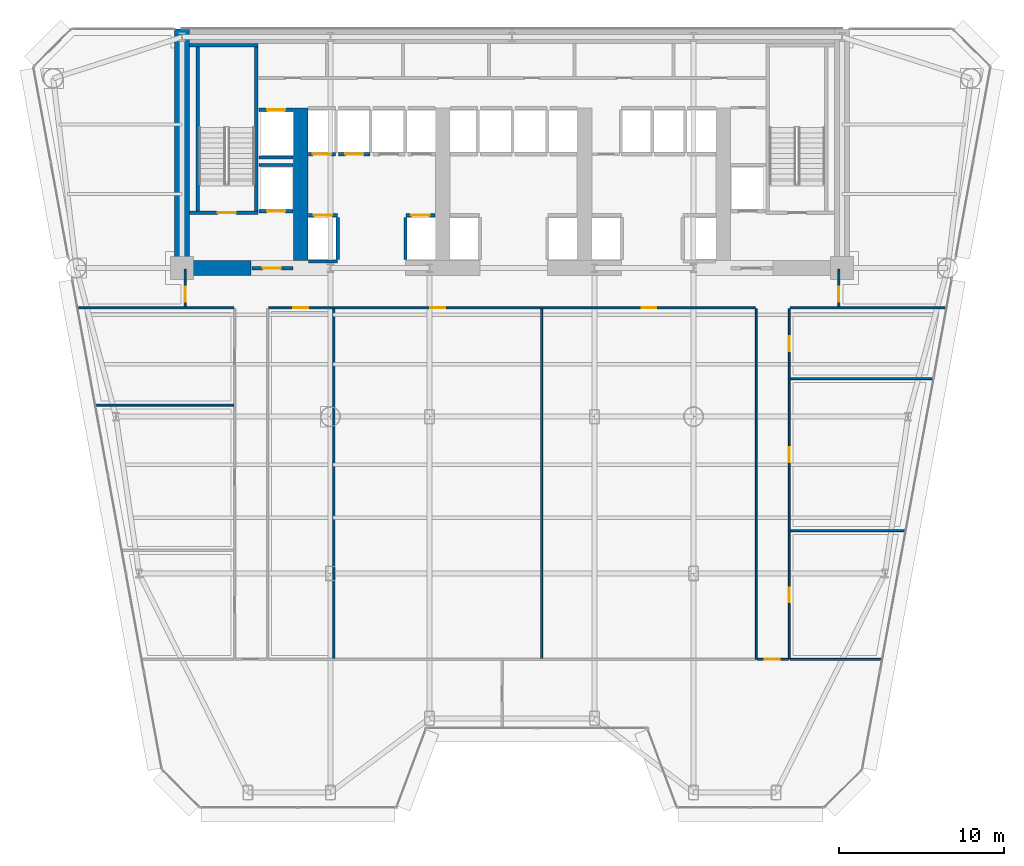
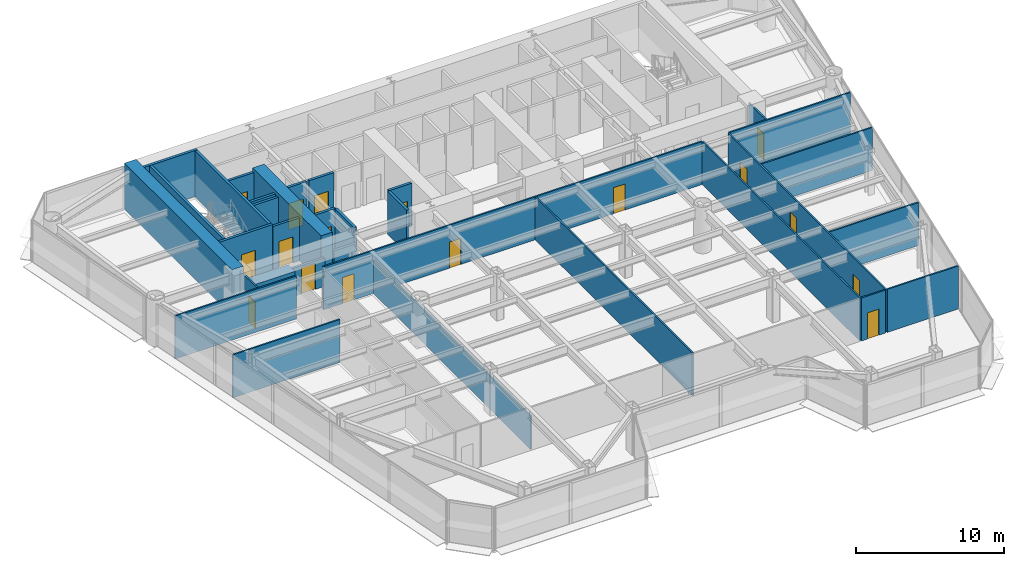
# One storey, part 8 of 14: 33 walls, 17 doors, 17 openings.
"""IFC4 building model written with IfcOpenShell, lengths in metres."""

import ifcopenshell
import ifcopenshell.guid

model = None  # the IFC model being written
_history = None  # IfcOwnerHistory: only IFC2X3 demands one
_inside = {}  # id of a spatial element -> (the spatial element, [elements in it])
_under = {}  # id of a project, library or spatial element -> (it, [spatial elements below it])
_declared = {}  # id of a project -> (the project, [libraries it declares])
_typed = {}  # id of a type object -> (the type object, [elements of that type])
_made_of = {}  # id of a material, layer set ... -> (it, [elements and type objects made of it])


def new_model(schema):
    """Start an empty IFC model of exactly this schema.

    Asked for "IFC4X3", IfcOpenShell would pick the latest addendum, in which some entities
    have other attributes; the version numbers below select the first issue.
    IFC2X3 requires an IfcOwnerHistory on every rooted entity: one is made here for all.
    """
    global model, _history
    if schema == "IFC4X3":
        model = ifcopenshell.file(schema_version=(4, 3, 0, 0))
    else:
        model = ifcopenshell.file(schema=schema)
    _inside.clear()
    _under.clear()
    _declared.clear()
    _typed.clear()
    _made_of.clear()
    _history = None
    if model.schema == "IFC2X3":
        org = make("IfcOrganization", Name="unknown")
        user = make(
            "IfcPersonAndOrganization",
            ThePerson=make("IfcPerson", FamilyName="unknown"),
            TheOrganization=org,
        )
        app = make(
            "IfcApplication",
            ApplicationDeveloper=org,
            Version="unknown",
            ApplicationFullName="unknown",
            ApplicationIdentifier="unknown",
        )
        _history = make(
            "IfcOwnerHistory",
            OwningUser=user,
            OwningApplication=app,
            ChangeAction="ADDED",
            CreationDate=0,
        )
    return model


def make(cls, **values):
    """One entity of the class cls with the attributes given. An attribute that is None is left unset."""
    return model.create_entity(
        cls, **{name: value for name, value in values.items() if value is not None}
    )


def rooted(cls, **values):
    """An entity with a GlobalId (a new one), such as an element, a storey or a relation."""
    return make(cls, GlobalId=ifcopenshell.guid.new(), OwnerHistory=_history, **values)


def si_unit(unit_type, name, prefix=None):
    """IfcSIUnit, for example si_unit("LENGTHUNIT", "METRE", prefix="MILLI")."""
    return make("IfcSIUnit", UnitType=unit_type, Prefix=prefix, Name=name)


def assignment(units):
    """IfcUnitAssignment: the units of a project."""
    return None if units is None else make("IfcUnitAssignment", Units=units)


def point(xyz):
    """IfcCartesianPoint."""
    return None if xyz is None else make("IfcCartesianPoint", Coordinates=xyz)


def direction(xyz):
    """IfcDirection."""
    return None if xyz is None else make("IfcDirection", DirectionRatios=xyz)


def frame(location, z_axis=None, x_axis=None):
    """IfcAxis2Placement3D, a coordinate frame: its origin and axes. An axis left out is left unset."""
    return make(
        "IfcAxis2Placement3D",
        Location=point(location),
        Axis=direction(z_axis),
        RefDirection=direction(x_axis),
    )


def frame_2d(location, x_axis=None):
    """IfcAxis2Placement2D, a coordinate frame in the plane: its origin and x axis."""
    return make(
        "IfcAxis2Placement2D", Location=point(location), RefDirection=direction(x_axis)
    )


def origin():
    """The frame at (0, 0, 0) with its axes left unset."""
    return frame((0.0, 0.0, 0.0))


def place(relative_to, where):
    """IfcLocalPlacement: puts the frame where relative to a parent placement (None: the world)."""
    return make(
        "IfcLocalPlacement", PlacementRelTo=relative_to, RelativePlacement=where
    )


def context(
    kind, dimensions, precision=None, world=None, true_north=None, identifier=None
):
    """IfcGeometricRepresentationContext, for example the 3D "Model" context."""
    return make(
        "IfcGeometricRepresentationContext",
        ContextIdentifier=identifier,
        ContextType=kind,
        CoordinateSpaceDimension=dimensions,
        Precision=precision,
        WorldCoordinateSystem=world,
        TrueNorth=true_north,
    )


def subcontext(parent, identifier, kind, view, scale=None):
    """IfcGeometricRepresentationSubContext, for example "Body" below "Model"."""
    return make(
        "IfcGeometricRepresentationSubContext",
        ContextIdentifier=identifier,
        ContextType=kind,
        ParentContext=parent,
        TargetScale=scale,
        TargetView=view,
    )


def project(units=None, contexts=None):
    """IfcProject with its units and contexts."""
    return rooted(
        "IfcProject",
        Name="project",
        RepresentationContexts=contexts,
        UnitsInContext=assignment(units),
    )


def spatial(cls, under=None, at=None, **own):
    """A site, building, storey or space (cls), placed at a placement, below another one or the project."""
    s = rooted(cls, ObjectPlacement=at, **own)
    if under is not None:
        _under.setdefault(under.id(), (under, []))[1].append(s)
    return s


def profile(cls, at=None, kind="AREA", **sizes):
    """A parametric profile (cls). Its sizes go by their IFC names, for example OverallWidth=200.0."""
    return make(cls, ProfileType=kind, Position=at, **sizes)


def rectangle(**sizes):
    """IfcRectangleProfileDef."""
    return profile("IfcRectangleProfileDef", **sizes)


def extrude(swept, where, along, depth):
    """IfcExtrudedAreaSolid: the profile swept, set in the frame where, extruded along a direction by depth."""
    return make(
        "IfcExtrudedAreaSolid",
        SweptArea=swept,
        Position=where,
        ExtrudedDirection=direction(along),
        Depth=depth,
    )


def shape(context_of_items, identifier, shape_type, items):
    """IfcShapeRepresentation: the items that make up one representation, for example the "Body"."""
    return make(
        "IfcShapeRepresentation",
        ContextOfItems=context_of_items,
        RepresentationIdentifier=identifier,
        RepresentationType=shape_type,
        Items=items,
    )


def source(mapping_origin, context_of_items, identifier, shape_type, items):
    """IfcRepresentationMap: a shape defined once, which mapped items show again and again."""
    return make(
        "IfcRepresentationMap",
        MappingOrigin=mapping_origin,
        MappedRepresentation=shape(context_of_items, identifier, shape_type, items),
    )


def transform(
    local_origin,
    x_axis=None,
    y_axis=None,
    z_axis=None,
    scale=None,
    scale2=None,
    scale3=None,
    uniform=True,
):
    """IfcCartesianTransformationOperator3D, or its non-uniform kind. x_axis, y_axis, z_axis: its Axis1, 2, 3."""
    if uniform:
        return make(
            "IfcCartesianTransformationOperator3D",
            Axis1=direction(x_axis),
            Axis2=direction(y_axis),
            LocalOrigin=point(local_origin),
            Scale=scale,
            Axis3=direction(z_axis),
        )
    return make(
        "IfcCartesianTransformationOperator3DnonUniform",
        Axis1=direction(x_axis),
        Axis2=direction(y_axis),
        LocalOrigin=point(local_origin),
        Scale=scale,
        Axis3=direction(z_axis),
        Scale2=scale2,
        Scale3=scale3,
    )


def mapped(mapping_source, mapping_target):
    """IfcMappedItem: shows the shape of a source again, moved by a transform."""
    return make(
        "IfcMappedItem", MappingSource=mapping_source, MappingTarget=mapping_target
    )


def material(Name=None, Category=None):
    """IfcMaterial."""
    return make("IfcMaterial", Name=Name, Category=Category)


def layer(
    of_material, thickness, ventilated=None, Name=None, Category=None, Priority=None
):
    """IfcMaterialLayer: one layer of a wall or slab, of a material (None: an air gap)."""
    return make(
        "IfcMaterialLayer",
        Material=of_material,
        LayerThickness=thickness,
        IsVentilated=ventilated,
        Name=Name,
        Category=Category,
        Priority=Priority,
    )


def layer_set(layers, Name=None):
    """IfcMaterialLayerSet."""
    return make("IfcMaterialLayerSet", MaterialLayers=layers, LayerSetName=Name)


def made_of(thing, what):
    """Note that an element or type object is made of a material, layer set ...; save() writes the relation."""
    if what is not None:
        _made_of.setdefault(what.id(), (what, []))[1].append(thing)
    return thing


def type_object(cls, material=None, **own):
    """A type object (cls), such as IfcWallType, which elements share."""
    return made_of(rooted(cls, **own), material)


def element(
    cls,
    number,
    at=None,
    inside=None,
    cuts=None,
    type_object=None,
    material=None,
    context=None,
    identifier="Body",
    shape_type=None,
    held_by="IfcProductDefinitionShape",
    body=None,
    shapes=None,
    **own,
):
    """One element of the class cls, such as IfcWall. Its Tag is "e" and its number.

    at: its placement. inside: the storey or other place that contains it. cuts: it is an
    opening in that element (IfcRelVoidsElement). A single representation is given by context,
    identifier, shape_type and body (its items); several are given by shapes. held_by: the class
    of the entity that holds the representations. save() writes the other relations.
    """
    e = rooted(cls, Tag="e%d" % number, ObjectPlacement=at, **own)
    if body is not None:
        shapes = [shape(context, identifier, shape_type, body)]
    if shapes is not None:
        e.Representation = make(held_by, Representations=shapes)
    if inside is not None:
        _inside.setdefault(inside.id(), (inside, []))[1].append(e)
    if cuts is not None:
        rooted(
            "IfcRelVoidsElement", RelatingBuildingElement=cuts, RelatedOpeningElement=e
        )
    if type_object is not None:
        _typed.setdefault(type_object.id(), (type_object, []))[1].append(e)
    return made_of(e, material)


def fill(opening, filler):
    """IfcRelFillsElement: the door or window that sits in an opening."""
    return rooted(
        "IfcRelFillsElement",
        RelatingOpeningElement=opening,
        RelatedBuildingElement=filler,
    )


def aggregate(whole, parts):
    """IfcRelAggregates: a whole, such as a stair, and the parts it consists of."""
    return rooted("IfcRelAggregates", RelatingObject=whole, RelatedObjects=parts)


def save(model, path):
    """Write the relations noted so far, then the file.

    IfcRelAggregates (storeys below a building ...), IfcRelContainedInSpatialStructure (elements
    in a storey), IfcRelDefinesByType, IfcRelAssociatesMaterial and IfcRelDeclares: one each for
    every whole, place, type object, material and project.
    """
    for whole, parts in _under.values():
        aggregate(whole, parts)
    for where, things in _inside.values():
        rooted(
            "IfcRelContainedInSpatialStructure",
            RelatedElements=things,
            RelatingStructure=where,
        )
    for kind, things in _typed.values():
        rooted("IfcRelDefinesByType", RelatedObjects=things, RelatingType=kind)
    for what, things in _made_of.values():
        rooted("IfcRelAssociatesMaterial", RelatedObjects=things, RelatingMaterial=what)
    for by, libraries in _declared.values():
        rooted("IfcRelDeclares", RelatingContext=by, RelatedDefinitions=libraries)
    model.write(path)


model = new_model("IFC4")

# Units and contexts
model_context = context("Model", 3, precision=1e-05, world=origin(), true_north=direction((0.0, 1.0)))
body_context = subcontext(model_context, "Body", "Model", "MODEL_VIEW")
ifc_project = project(units=[si_unit("LENGTHUNIT", "METRE"), si_unit("AREAUNIT", "SQUARE_METRE"), si_unit("VOLUMEUNIT", "CUBIC_METRE"), si_unit("PLANEANGLEUNIT", "RADIAN"), si_unit("MASSUNIT", "GRAM", prefix="KILO")], contexts=[model_context])

# Site, building, storey
site_placement = place(None, origin())
site = spatial("IfcSite", under=ifc_project, at=site_placement, CompositionType="ELEMENT")
building_placement = place(site_placement, origin())
building = spatial("IfcBuilding", under=site, at=building_placement, Name="Vaeldorn Concourse Tower", CompositionType="ELEMENT")
storey_placement = place(building_placement, frame((0.0, 0.0, 79.60009765625)))
storey = spatial("IfcBuildingStorey", under=building, at=storey_placement, Name="L20", CompositionType="ELEMENT", Elevation=79.60009765625)

# Walls
ifc_material_1 = material(Name="Concrete C60/75", Category="concrete")
ifc_layer_1 = layer(ifc_material_1, 0.89990234375)
ifc_layer_set_1 = layer_set([ifc_layer_1], Name="Concrete C60/75")
wall_type_1 = type_object("IfcWallType", Name="WL-CORE-900", PredefinedType="SHEAR", material=ifc_layer_set_1)
wall_1_placement = place(storey_placement, frame((14.0, 36.5, 0.0), z_axis=(0.0, 0.0, 1.0), x_axis=(0.0, 1.0, 0.0)))
element("IfcWall", 1, at=wall_1_placement, inside=storey, type_object=wall_type_1, Name="Rear Core Shear Wall L20 W1", PredefinedType="SHEAR", context=body_context, shape_type="SweptSolid", body=[
    extrude(rectangle(XDim=14.5, YDim=0.89990234375, at=frame_2d((7.25, 0.0))), origin(), (0.0, 0.0, 1.0), 3.7998046875),
])
wall_2_placement = place(storey_placement, frame((14.469970703125, 36.5, 0.0), z_axis=(0.0, 0.0, 1.0), x_axis=(1.0, 0.0, 0.0)))
element("IfcWall", 2, at=wall_2_placement, inside=storey, type_object=wall_type_1, Name="Rear Core Shear Wall L20 S1", PredefinedType="SHEAR", context=body_context, shape_type="SweptSolid", body=[
    extrude(rectangle(XDim=3.72998046875, YDim=0.89990234375, at=frame_2d((1.864990234375, 0.0))), origin(), (0.0, 0.0, 1.0), 2.33984375),
])
wall_3_placement = place(storey_placement, frame((21.199951171875, 36.969970703125, 0.0), z_axis=(0.0, 0.0, 1.0), x_axis=(0.0, 1.0, 0.0)))
element("IfcWall", 3, at=wall_3_placement, inside=storey, type_object=wall_type_1, Name="Rear Core Shear Wall L20 M1", PredefinedType="SHEAR", context=body_context, shape_type="SweptSolid", body=[
    extrude(rectangle(XDim=9.22998046875, YDim=0.89990234375, at=frame_2d((4.614990234375, 0.0))), origin(), (0.0, 0.0, 1.0), 3.7998046875),
])

# Wall, openings, doors
ifc_material_2 = material(Name="Gypsum Board Partition", Category="gypsum")
ifc_layer_2 = layer(ifc_material_2, 0.1201171875)
ifc_layer_set_2 = layer_set([ifc_layer_2], Name="Gypsum Board Partition")
wall_type_2 = type_object("IfcWallType", Name="WL-PART-120", PredefinedType="PARTITIONING", material=ifc_layer_set_2)
wall_4_placement = place(storey_placement, frame((19.260009765625, 34.10009765625, 0.0), z_axis=(0.0, 0.0, 1.0), x_axis=(1.0, 0.0, 0.0)))
wall_4 = element("IfcWall", 4, at=wall_4_placement, inside=storey, type_object=wall_type_2, Name="Interior Wall PW-L20-CEWS", PredefinedType="PARTITIONING", context=body_context, shape_type="SweptSolid", body=[
    extrude(rectangle(XDim=29.47998046875, YDim=0.1201171875, at=frame_2d((14.739990234375, 0.0))), origin(), (0.0, 0.0, 1.0), 3.539794921875),
])
opening_1_placement = place(wall_4_placement, frame((1.489990234375, 0.0, 0.0)))
opening_1 = element("IfcOpeningElement", 5, at=opening_1_placement, cuts=wall_4, Name="Opening D-03", PredefinedType="OPENING", context=body_context, shape_type="SweptSolid", body=[
    extrude(rectangle(XDim=0.89990234375, YDim=2.14990234375, at=frame_2d((0.449951171875, 1.074951171875))), frame((0.0, 0.070068359375, 0.0), z_axis=(0.0, -1.0, 0.0), x_axis=(1.0, 0.0, 0.0)), (0.0, 0.0, 1.0), 0.14013671875),
])
opening_2_placement = place(wall_4_placement, frame((9.7900390625, 0.0, 0.0)))
opening_2 = element("IfcOpeningElement", 6, at=opening_2_placement, cuts=wall_4, Name="Opening D-03", PredefinedType="OPENING", context=body_context, shape_type="SweptSolid", body=[
    extrude(rectangle(XDim=0.89990234375, YDim=2.14990234375, at=frame_2d((0.449951171875, 1.074951171875))), frame((0.0, 0.070068359375, 0.0), z_axis=(0.0, -1.0, 0.0), x_axis=(1.0, 0.0, 0.0)), (0.0, 0.0, 1.0), 0.14013671875),
])
opening_3_placement = place(wall_4_placement, frame((22.590087890625, 0.0, 0.0)))
opening_3 = element("IfcOpeningElement", 7, at=opening_3_placement, cuts=wall_4, Name="Opening D-03", PredefinedType="OPENING", context=body_context, shape_type="SweptSolid", body=[
    extrude(rectangle(XDim=0.89990234375, YDim=2.14990234375, at=frame_2d((0.449951171875, 1.074951171875))), frame((0.0, 0.070068359375, 0.0), z_axis=(0.0, -1.0, 0.0), x_axis=(1.0, 0.0, 0.0)), (0.0, 0.0, 1.0), 0.14013671875),
])
ifc_material_3 = material(Name="Acoustic Bronze-Framed Glass Door", Category="glass")
door_type_1 = type_object("IfcDoorType", Name="DR-INT-900", OperationType="NOTDEFINED", PredefinedType="DOOR", material=ifc_material_3)
shared_shape_1 = source(origin(), body_context, "Body", "SweptSolid", [
    extrude(rectangle(XDim=0.89990234375, YDim=2.14990234375, at=frame_2d((0.449951171875, 1.074951171875))), frame((0.0, 0.02490234375, 0.0), z_axis=(0.0, -1.0, 0.0), x_axis=(1.0, 0.0, 0.0)), (0.0, 0.0, 1.0), 0.050048828125),
])
door_1_placement = place(opening_1_placement, origin())
door_1 = element("IfcDoor", 8, at=door_1_placement, inside=storey, type_object=door_type_1, Name="Interior Door DR-L20-H1", OperationType="SINGLE_SWING_LEFT", OverallHeight=2.14990234375, OverallWidth=0.89990234375, PredefinedType="DOOR", context=body_context, shape_type="MappedRepresentation", body=[
    mapped(shared_shape_1, transform((0.0, 0.0, 0.0), scale=1.0)),
])
fill(opening_1, door_1)
door_2_placement = place(opening_2_placement, origin())
door_2 = element("IfcDoor", 9, at=door_2_placement, inside=storey, type_object=door_type_1, Name="Interior Door DR-L20-H2", OperationType="SINGLE_SWING_RIGHT", OverallHeight=2.14990234375, OverallWidth=0.89990234375, PredefinedType="DOOR", context=body_context, shape_type="MappedRepresentation", body=[
    mapped(shared_shape_1, transform((0.0, 0.0, 0.0), scale=1.0)),
])
fill(opening_2, door_2)
door_3_placement = place(opening_3_placement, origin())
door_3 = element("IfcDoor", 10, at=door_3_placement, inside=storey, type_object=door_type_1, Name="Interior Door DR-L20-H3", OperationType="SINGLE_SWING_LEFT", OverallHeight=2.14990234375, OverallWidth=0.89990234375, PredefinedType="DOOR", context=body_context, shape_type="MappedRepresentation", body=[
    mapped(shared_shape_1, transform((0.0, 0.0, 0.0), scale=1.0)),
])
fill(opening_3, door_3)

# Walls
for number, where, z_axis, x_axis, name in (
    (11, (7.709228515625, 34.10009765625, 0.0), (0.0, 0.0, 1.0), (1.0, 0.0, 0.0), "Interior Wall PW-L20-CEWW"),
    (12, (50.860107421875, 34.10009765625, 0.0), (0.0, 0.0, 1.0), (1.0, 0.0, 0.0), "Interior Wall PW-L20-CEWE"),
):
    element("IfcWall", number, at=place(storey_placement, frame(where, z_axis=z_axis, x_axis=x_axis)), inside=storey, type_object=wall_type_2, Name=name, PredefinedType="PARTITIONING", context=body_context, shape_type="SweptSolid", body=[
        extrude(rectangle(XDim=9.4306640625, YDim=0.1201171875, at=frame_2d((4.71533203125, 0.0))), origin(), (0.0, 0.0, 1.0), 3.539794921875),
    ])

# Wall, opening, door
wall_5_placement = place(storey_placement, frame((14.199951171875, 34.159912109375, 0.0), z_axis=(0.0, 0.0, 1.0), x_axis=(0.0, 1.0, 0.0)))
wall_5 = element("IfcWall", 13, at=wall_5_placement, inside=storey, type_object=wall_type_2, Name="Interior Wall PW-L20-CWWT", PredefinedType="PARTITIONING", context=body_context, shape_type="SweptSolid", body=[
    extrude(rectangle(XDim=2.280029296875, YDim=0.1201171875, at=frame_2d((1.14013671875, 0.0))), origin(), (0.0, 0.0, 1.0), 3.539794921875),
])
opening_4_placement = place(wall_5_placement, frame((0.300048828125, 0.0, 0.0)))
opening_4 = element("IfcOpeningElement", 14, at=opening_4_placement, cuts=wall_5, Name="Opening D-03", PredefinedType="OPENING", context=body_context, shape_type="SweptSolid", body=[
    extrude(rectangle(XDim=0.89990234375, YDim=2.14990234375, at=frame_2d((0.449951171875, 1.074951171875))), frame((0.0, 0.070068359375, 0.0), z_axis=(0.0, -1.0, 0.0), x_axis=(1.0, 0.0, 0.0)), (0.0, 0.0, 1.0), 0.14013671875),
])
door_4_placement = place(opening_4_placement, origin())
door_4 = element("IfcDoor", 15, at=door_4_placement, inside=storey, type_object=door_type_1, Name="Interior Door DR-L20-NW1", OperationType="SINGLE_SWING_LEFT", OverallHeight=2.14990234375, OverallWidth=0.89990234375, PredefinedType="DOOR", context=body_context, shape_type="MappedRepresentation", body=[
    mapped(shared_shape_1, transform((0.0, 0.0, 0.0), scale=1.0)),
])
fill(opening_4, door_4)

wall_6_placement = place(storey_placement, frame((53.800048828125, 34.159912109375, 0.0), z_axis=(0.0, 0.0, 1.0), x_axis=(0.0, 1.0, 0.0)))
wall_6 = element("IfcWall", 16, at=wall_6_placement, inside=storey, type_object=wall_type_2, Name="Interior Wall PW-L20-CEET", PredefinedType="PARTITIONING", context=body_context, shape_type="SweptSolid", body=[
    extrude(rectangle(XDim=2.280029296875, YDim=0.1201171875, at=frame_2d((1.14013671875, 0.0))), origin(), (0.0, 0.0, 1.0), 3.539794921875),
])
opening_5_placement = place(wall_6_placement, frame((0.300048828125, 0.0, 0.0)))
opening_5 = element("IfcOpeningElement", 17, at=opening_5_placement, cuts=wall_6, Name="Opening D-03", PredefinedType="OPENING", context=body_context, shape_type="SweptSolid", body=[
    extrude(rectangle(XDim=0.89990234375, YDim=2.14990234375, at=frame_2d((0.449951171875, 1.074951171875))), frame((0.0, 0.070068359375, 0.0), z_axis=(0.0, -1.0, 0.0), x_axis=(1.0, 0.0, 0.0)), (0.0, 0.0, 1.0), 0.14013671875),
])
door_5_placement = place(opening_5_placement, origin())
door_5 = element("IfcDoor", 18, at=door_5_placement, inside=storey, type_object=door_type_1, Name="Interior Door DR-L20-NE1", OperationType="SINGLE_SWING_RIGHT", OverallHeight=2.14990234375, OverallWidth=0.89990234375, PredefinedType="DOOR", context=body_context, shape_type="MappedRepresentation", body=[
    mapped(shared_shape_1, transform((0.0, 0.0, 0.0), scale=1.0)),
])
fill(opening_5, door_5)

# Wall
wall_7_placement = place(storey_placement, frame((48.800048828125, 12.800048828125, 0.0), z_axis=(0.0, 0.0, 1.0), x_axis=(0.0, 1.0, 0.0)))
element("IfcWall", 19, at=wall_7_placement, inside=storey, type_object=wall_type_2, Name="Interior Wall PW-L20-CEW", PredefinedType="PARTITIONING", context=body_context, shape_type="SweptSolid", body=[
    extrude(rectangle(XDim=21.239990234375, YDim=0.1201171875, at=frame_2d((10.6201171875, 0.0))), origin(), (0.0, 0.0, 1.0), 3.539794921875),
])

# Wall, openings, doors
wall_8_placement = place(storey_placement, frame((50.800048828125, 12.800048828125, 0.0), z_axis=(0.0, 0.0, 1.0), x_axis=(0.0, 1.0, 0.0)))
wall_8 = element("IfcWall", 20, at=wall_8_placement, inside=storey, type_object=wall_type_2, Name="Interior Wall PW-L20-CEE", PredefinedType="PARTITIONING", context=body_context, shape_type="SweptSolid", body=[
    extrude(rectangle(XDim=21.239990234375, YDim=0.1201171875, at=frame_2d((10.6201171875, 0.0))), origin(), (0.0, 0.0, 1.0), 3.539794921875),
])
opening_6_placement = place(wall_8_placement, frame((3.449951171875, 0.0, 0.0)))
opening_6 = element("IfcOpeningElement", 21, at=opening_6_placement, cuts=wall_8, Name="Opening D-03", PredefinedType="OPENING", context=body_context, shape_type="SweptSolid", body=[
    extrude(rectangle(XDim=0.89990234375, YDim=2.14990234375, at=frame_2d((0.449951171875, 1.074951171875))), frame((0.0, 0.070068359375, 0.0), z_axis=(0.0, -1.0, 0.0), x_axis=(1.0, 0.0, 0.0)), (0.0, 0.0, 1.0), 0.14013671875),
])
opening_7_placement = place(wall_8_placement, frame((11.949951171875, 0.0, 0.0)))
opening_7 = element("IfcOpeningElement", 22, at=opening_7_placement, cuts=wall_8, Name="Opening D-03", PredefinedType="OPENING", context=body_context, shape_type="SweptSolid", body=[
    extrude(rectangle(XDim=0.89990234375, YDim=2.14990234375, at=frame_2d((0.449951171875, 1.074951171875))), frame((0.0, 0.070068359375, 0.0), z_axis=(0.0, -1.0, 0.0), x_axis=(1.0, 0.0, 0.0)), (0.0, 0.0, 1.0), 0.14013671875),
])
opening_8_placement = place(wall_8_placement, frame((18.669921875, 0.0, 0.0)))
opening_8 = element("IfcOpeningElement", 23, at=opening_8_placement, cuts=wall_8, Name="Opening D-03", PredefinedType="OPENING", context=body_context, shape_type="SweptSolid", body=[
    extrude(rectangle(XDim=0.89990234375, YDim=2.14990234375, at=frame_2d((0.449951171875, 1.074951171875))), frame((0.0, 0.070068359375, 0.0), z_axis=(0.0, -1.0, 0.0), x_axis=(1.0, 0.0, 0.0)), (0.0, 0.0, 1.0), 0.14013671875),
])
door_6_placement = place(opening_6_placement, origin())
door_6 = element("IfcDoor", 24, at=door_6_placement, inside=storey, type_object=door_type_1, Name="Interior Door DR-L20-E1", OperationType="SINGLE_SWING_RIGHT", OverallHeight=2.14990234375, OverallWidth=0.89990234375, PredefinedType="DOOR", context=body_context, shape_type="MappedRepresentation", body=[
    mapped(shared_shape_1, transform((0.0, 0.0, 0.0), scale=1.0)),
])
fill(opening_6, door_6)
door_7_placement = place(opening_7_placement, origin())
door_7 = element("IfcDoor", 25, at=door_7_placement, inside=storey, type_object=door_type_1, Name="Interior Door DR-L20-E2", OperationType="SINGLE_SWING_LEFT", OverallHeight=2.14990234375, OverallWidth=0.89990234375, PredefinedType="DOOR", context=body_context, shape_type="MappedRepresentation", body=[
    mapped(shared_shape_1, transform((0.0, 0.0, 0.0), scale=1.0)),
])
fill(opening_7, door_7)
door_8_placement = place(opening_8_placement, origin())
door_8 = element("IfcDoor", 26, at=door_8_placement, inside=storey, type_object=door_type_1, Name="Interior Door DR-L20-E3", OperationType="SINGLE_SWING_RIGHT", OverallHeight=2.14990234375, OverallWidth=0.89990234375, PredefinedType="DOOR", context=body_context, shape_type="MappedRepresentation", body=[
    mapped(shared_shape_1, transform((0.0, 0.0, 0.0), scale=1.0)),
])
fill(opening_8, door_8)

# Wall, opening, door
wall_9_placement = place(storey_placement, frame((48.860107421875, 12.800048828125, 0.0), z_axis=(0.0, 0.0, 1.0), x_axis=(1.0, 0.0, 0.0)))
wall_9 = element("IfcWall", 27, at=wall_9_placement, inside=storey, type_object=wall_type_2, Name="Interior Wall PW-L20-CES", PredefinedType="PARTITIONING", context=body_context, shape_type="SweptSolid", body=[
    extrude(rectangle(XDim=1.8798828125, YDim=0.1201171875, at=frame_2d((0.93994140625, 0.0))), origin(), (0.0, 0.0, 1.0), 3.539794921875),
])
opening_9_placement = place(wall_9_placement, frame((0.449951171875, 0.0, 0.0)))
opening_9 = element("IfcOpeningElement", 28, at=opening_9_placement, cuts=wall_9, Name="Opening D-03", PredefinedType="OPENING", context=body_context, shape_type="SweptSolid", body=[
    extrude(rectangle(XDim=0.89990234375, YDim=2.14990234375, at=frame_2d((0.449951171875, 1.074951171875))), frame((0.0, 0.070068359375, 0.0), z_axis=(0.0, -1.0, 0.0), x_axis=(1.0, 0.0, 0.0)), (0.0, 0.0, 1.0), 0.14013671875),
])
door_9_placement = place(opening_9_placement, origin())
door_9 = element("IfcDoor", 29, at=door_9_placement, inside=storey, type_object=door_type_1, Name="Interior Door DR-L20-SEL", OperationType="SINGLE_SWING_RIGHT", OverallHeight=2.14990234375, OverallWidth=0.89990234375, PredefinedType="DOOR", context=body_context, shape_type="MappedRepresentation", body=[
    mapped(shared_shape_1, transform((0.0, 0.0, 0.0), scale=1.0)),
])
fill(opening_9, door_9)

# Walls
wall_10_placement = place(storey_placement, frame((8.787841796875, 28.199951171875, 0.0), z_axis=(0.0, 0.0, 1.0), x_axis=(1.0, 0.0, 0.0)))
element("IfcWall", 30, at=wall_10_placement, inside=storey, type_object=wall_type_2, Name="Interior Wall PW-L20-WY2", PredefinedType="PARTITIONING", context=body_context, shape_type="SweptSolid", body=[
    extrude(rectangle(XDim=8.35205078125, YDim=0.1201171875, at=frame_2d((4.176025390625, 0.0))), origin(), (0.0, 0.0, 1.0), 3.539794921875),
])
wall_11_placement = place(storey_placement, frame((50.860107421875, 12.800048828125, 0.0), z_axis=(0.0, 0.0, 1.0), x_axis=(1.0, 0.0, 0.0)))
element("IfcWall", 31, at=wall_11_placement, inside=storey, type_object=wall_type_2, Name="Interior Wall PW-L20-EY0", PredefinedType="PARTITIONING", context=body_context, shape_type="SweptSolid", body=[
    extrude(rectangle(XDim=5.536376953125, YDim=0.1201171875, at=frame_2d((2.76806640625, 0.0))), origin(), (0.0, 0.0, 1.0), 3.539794921875),
])
wall_12_placement = place(storey_placement, frame((50.860107421875, 20.60009765625, 0.0), z_axis=(0.0, 0.0, 1.0), x_axis=(1.0, 0.0, 0.0)))
element("IfcWall", 32, at=wall_12_placement, inside=storey, type_object=wall_type_2, Name="Interior Wall PW-L20-EY1", PredefinedType="PARTITIONING", context=body_context, shape_type="SweptSolid", body=[
    extrude(rectangle(XDim=6.96240234375, YDim=0.1201171875, at=frame_2d((3.481201171875, 0.0))), origin(), (0.0, 0.0, 1.0), 3.539794921875),
])
wall_13_placement = place(storey_placement, frame((50.860107421875, 29.800048828125, 0.0), z_axis=(0.0, 0.0, 1.0), x_axis=(1.0, 0.0, 0.0)))
element("IfcWall", 33, at=wall_13_placement, inside=storey, type_object=wall_type_2, Name="Interior Wall PW-L20-EY2", PredefinedType="PARTITIONING", context=body_context, shape_type="SweptSolid", body=[
    extrude(rectangle(XDim=8.64453125, YDim=0.1201171875, at=frame_2d((4.322265625, 0.0))), origin(), (0.0, 0.0, 1.0), 3.539794921875),
])
wall_14_placement = place(storey_placement, frame((23.199951171875, 12.860107421875, 0.0), z_axis=(0.0, 0.0, 1.0), x_axis=(0.0, 1.0, 0.0)))
element("IfcWall", 34, at=wall_14_placement, inside=storey, type_object=wall_type_2, Name="Interior Wall PW-L20-HX1", PredefinedType="PARTITIONING", context=body_context, shape_type="SweptSolid", body=[
    extrude(rectangle(XDim=21.179931640625, YDim=0.1201171875, at=frame_2d((10.58984375, 0.0))), origin(), (0.0, 0.0, 1.0), 2.72998046875),
])
wall_15_placement = place(storey_placement, frame((35.800048828125, 12.860107421875, 0.0), z_axis=(0.0, 0.0, 1.0), x_axis=(0.0, 1.0, 0.0)))
element("IfcWall", 35, at=wall_15_placement, inside=storey, type_object=wall_type_2, Name="Interior Wall PW-L20-HX2", PredefinedType="PARTITIONING", context=body_context, shape_type="SweptSolid", body=[
    extrude(rectangle(XDim=21.179931640625, YDim=0.1201171875, at=frame_2d((10.58984375, 0.0))), origin(), (0.0, 0.0, 1.0), 3.539794921875),
])

# Wall, opening, door
ifc_material_4 = material(Name="Concrete C50/60", Category="concrete")
ifc_layer_3 = layer(ifc_material_4, 0.199951171875)
ifc_layer_set_3 = layer_set([ifc_layer_3], Name="Concrete C50/60")
wall_type_3 = type_object("IfcWallType", Name="WL-SHAFT-200", PredefinedType="SOLIDWALL", material=ifc_layer_set_3)
wall_16_placement = place(storey_placement, frame((14.449951171875, 39.85009765625, 0.0), z_axis=(0.0, 0.0, 1.0), x_axis=(1.0, 0.0, 0.0)))
wall_16 = element("IfcWall", 36, at=wall_16_placement, inside=storey, type_object=wall_type_3, Name="Stair Shaft Wall CW-L20-ST-1-S", PredefinedType="SOLIDWALL", context=body_context, shape_type="SweptSolid", body=[
    extrude(rectangle(XDim=4.150146484375, YDim=0.199951171875, at=frame_2d((2.0751953125, 0.0))), origin(), (0.0, 0.0, 1.0), 3.7998046875),
])
opening_10_placement = place(wall_16_placement, frame((1.72509765625, 0.0, 0.0)))
opening_10 = element("IfcOpeningElement", 37, at=opening_10_placement, cuts=wall_16, Name="Opening D-01", PredefinedType="OPENING", context=body_context, shape_type="SweptSolid", body=[
    extrude(rectangle(XDim=1.10009765625, YDim=2.14990234375, at=frame_2d((0.550048828125, 1.074951171875))), frame((0.0, 0.10986328125, 0.0), z_axis=(0.0, -1.0, 0.0), x_axis=(1.0, 0.0, 0.0)), (0.0, 0.0, 1.0), 0.219970703125),
])
ifc_material_5 = material(Name="Fire-Rated Timber and Steel Leaf", Category="steel")
door_type_2 = type_object("IfcDoorType", Name="DR-FD60-1100", OperationType="NOTDEFINED", PredefinedType="DOOR", material=ifc_material_5)
shared_shape_2 = source(origin(), body_context, "Body", "SweptSolid", [
    extrude(rectangle(XDim=1.10009765625, YDim=2.14990234375, at=frame_2d((0.550048828125, 1.074951171875))), frame((0.0, 0.02490234375, 0.0), z_axis=(0.0, -1.0, 0.0), x_axis=(1.0, 0.0, 0.0)), (0.0, 0.0, 1.0), 0.050048828125),
])
door_10_placement = place(opening_10_placement, origin())
door_10 = element("IfcDoor", 38, at=door_10_placement, inside=storey, type_object=door_type_2, Name="Interior Door DR-L20-ST-1", OperationType="SINGLE_SWING_LEFT", OverallHeight=2.14990234375, OverallWidth=1.10009765625, PredefinedType="DOOR", context=body_context, shape_type="MappedRepresentation", body=[
    mapped(shared_shape_2, transform((0.0, 0.0, 0.0), scale=1.0)),
])
fill(opening_10, door_10)

# Walls
wall_17_placement = place(storey_placement, frame((14.449951171875, 50.0, 0.0), z_axis=(0.0, 0.0, 1.0), x_axis=(1.0, 0.0, 0.0)))
element("IfcWall", 39, at=wall_17_placement, inside=storey, type_object=wall_type_3, Name="Stair Shaft Wall CW-L20-ST-1-N", PredefinedType="SOLIDWALL", context=body_context, shape_type="SweptSolid", body=[
    extrude(rectangle(XDim=4.150146484375, YDim=0.199951171875, at=frame_2d((2.0751953125, 0.0))), origin(), (0.0, 0.0, 1.0), 3.7998046875),
])
for number, where, z_axis, x_axis, name in (
    (40, (14.949951171875, 39.9599609375, 0.0), (0.0, 0.0, 1.0), (0.0, 1.0, 0.0), "Stair Shaft Wall CW-L20-ST-1-W"),
    (41, (18.5, 39.9599609375, 0.0), (0.0, 0.0, 1.0), (0.0, 1.0, 0.0), "Stair Shaft Wall CW-L20-ST-1-E"),
):
    element("IfcWall", number, at=place(storey_placement, frame(where, z_axis=z_axis, x_axis=x_axis)), inside=storey, type_object=wall_type_3, Name=name, PredefinedType="SOLIDWALL", context=body_context, shape_type="SweptSolid", body=[
        extrude(rectangle(XDim=9.929931640625, YDim=0.199951171875, at=frame_2d((4.96484375, 0.0))), origin(), (0.0, 0.0, 1.0), 3.7998046875),
    ])

# Wall, opening, door
wall_18_placement = place(storey_placement, frame((18.25, 36.5, 0.0), z_axis=(0.0, 0.0, 1.0), x_axis=(1.0, 0.0, 0.0)))
wall_18 = element("IfcWall", 42, at=wall_18_placement, inside=storey, type_object=wall_type_3, Name="Interior Wall CW-L20-FF1S", PredefinedType="SOLIDWALL", context=body_context, shape_type="SweptSolid", body=[
    extrude(rectangle(XDim=2.469970703125, YDim=0.199951171875, at=frame_2d((1.23486328125, 0.0))), origin(), (0.0, 0.0, 1.0), 2.329833984375),
])
opening_11_placement = place(wall_18_placement, frame((0.64990234375, 0.0, 0.0)))
opening_11 = element("IfcOpeningElement", 43, at=opening_11_placement, cuts=wall_18, Name="Opening D-01", PredefinedType="OPENING", context=body_context, shape_type="SweptSolid", body=[
    extrude(rectangle(XDim=1.10009765625, YDim=2.14990234375, at=frame_2d((0.550048828125, 1.074951171875))), frame((0.0, 0.10986328125, 0.0), z_axis=(0.0, -1.0, 0.0), x_axis=(1.0, 0.0, 0.0)), (0.0, 0.0, 1.0), 0.219970703125),
])
door_11_placement = place(opening_11_placement, origin())
door_11 = element("IfcDoor", 44, at=door_11_placement, inside=storey, type_object=door_type_2, Name="Interior Door DR-L20-FF1E", OperationType="SINGLE_SWING_RIGHT", OverallHeight=2.14990234375, OverallWidth=1.10009765625, PredefinedType="DOOR", context=body_context, shape_type="MappedRepresentation", body=[
    mapped(shared_shape_2, transform((0.0, 0.0, 0.0), scale=1.0)),
])
fill(opening_11, door_11)

wall_19_placement = place(storey_placement, frame((21.659912109375, 39.699951171875, 0.0), z_axis=(0.0, 0.0, 1.0), x_axis=(1.0, 0.0, 0.0)))
wall_19 = element("IfcWall", 45, at=wall_19_placement, inside=storey, type_object=wall_type_3, Name="Interior Wall CW-L20-LF-LF-01", PredefinedType="SOLIDWALL", context=body_context, shape_type="SweptSolid", body=[
    extrude(rectangle(XDim=1.77001953125, YDim=0.199951171875, at=frame_2d((0.885009765625, 0.0))), origin(), (0.0, 0.0, 1.0), 3.539794921875),
])
opening_12_placement = place(wall_19_placement, frame((0.3349609375, 0.0, 0.0)))
opening_12 = element("IfcOpeningElement", 46, at=opening_12_placement, cuts=wall_19, Name="Opening LD-1", PredefinedType="OPENING", context=body_context, shape_type="SweptSolid", body=[
    extrude(rectangle(XDim=1.10009765625, YDim=2.14990234375, at=frame_2d((0.550048828125, 1.074951171875))), frame((0.0, 0.10986328125, 0.0), z_axis=(0.0, -1.0, 0.0), x_axis=(1.0, 0.0, 0.0)), (0.0, 0.0, 1.0), 0.219970703125),
])
ifc_material_6 = material(Name="Anodised Bronze Aluminium", Category="aluminium")
door_type_3 = type_object("IfcDoorType", Name="DR-LIFT-SLIDE-1100", OperationType="DOUBLE_DOOR_SLIDING", PredefinedType="DOOR", material=ifc_material_6)
door_12_placement = place(opening_12_placement, origin())
door_12 = element("IfcDoor", 47, at=door_12_placement, inside=storey, type_object=door_type_3, Name="Lift Landing Door LD-L20-LF-01", OperationType="DOUBLE_DOOR_SLIDING", OverallHeight=2.14990234375, OverallWidth=1.10009765625, PredefinedType="DOOR", context=body_context, shape_type="MappedRepresentation", body=[
    mapped(shared_shape_2, transform((0.0, 0.0, 0.0), scale=1.0)),
])
fill(opening_12, door_12)

# Walls
wall_20_placement = place(storey_placement, frame((21.659912109375, 36.89990234375, 0.0), z_axis=(0.0, 0.0, 1.0), x_axis=(1.0, 0.0, 0.0)))
element("IfcWall", 48, at=wall_20_placement, inside=storey, type_object=wall_type_3, Name="Interior Wall CW-L20-LFB-LF-01", PredefinedType="SOLIDWALL", context=body_context, shape_type="SweptSolid", body=[
    extrude(rectangle(XDim=1.77001953125, YDim=0.199951171875, at=frame_2d((0.885009765625, 0.0))), origin(), (0.0, 0.0, 1.0), 2.329833984375),
])
wall_21_placement = place(storey_placement, frame((23.449951171875, 37.02001953125, 0.0), z_axis=(0.0, 0.0, 1.0), x_axis=(0.0, 1.0, 0.0)))
element("IfcWall", 49, at=wall_21_placement, inside=storey, type_object=wall_type_3, Name="Interior Wall CW-L20-LFE-LF-01", PredefinedType="SOLIDWALL", context=body_context, shape_type="SweptSolid", body=[
    extrude(rectangle(XDim=2.56005859375, YDim=0.199951171875, at=frame_2d((1.280029296875, 0.0))), origin(), (0.0, 0.0, 1.0), 3.539794921875),
])

# Wall, opening, door
wall_22_placement = place(storey_placement, frame((27.570068359375, 39.699951171875, 0.0), z_axis=(0.0, 0.0, 1.0), x_axis=(1.0, 0.0, 0.0)))
wall_22 = element("IfcWall", 50, at=wall_22_placement, inside=storey, type_object=wall_type_3, Name="Interior Wall CW-L20-LF-LF-02", PredefinedType="SOLIDWALL", context=body_context, shape_type="SweptSolid", body=[
    extrude(rectangle(XDim=1.77001953125, YDim=0.199951171875, at=frame_2d((0.885009765625, 0.0))), origin(), (0.0, 0.0, 1.0), 3.539794921875),
])
opening_13_placement = place(wall_22_placement, frame((0.3349609375, 0.0, 0.0)))
opening_13 = element("IfcOpeningElement", 51, at=opening_13_placement, cuts=wall_22, Name="Opening LD-1", PredefinedType="OPENING", context=body_context, shape_type="SweptSolid", body=[
    extrude(rectangle(XDim=1.10009765625, YDim=2.14990234375, at=frame_2d((0.550048828125, 1.074951171875))), frame((0.0, 0.10986328125, 0.0), z_axis=(0.0, -1.0, 0.0), x_axis=(1.0, 0.0, 0.0)), (0.0, 0.0, 1.0), 0.219970703125),
])
door_13_placement = place(opening_13_placement, origin())
door_13 = element("IfcDoor", 52, at=door_13_placement, inside=storey, type_object=door_type_3, Name="Lift Landing Door LD-L20-LF-02", OperationType="DOUBLE_DOOR_SLIDING", OverallHeight=2.14990234375, OverallWidth=1.10009765625, PredefinedType="DOOR", context=body_context, shape_type="MappedRepresentation", body=[
    mapped(shared_shape_2, transform((0.0, 0.0, 0.0), scale=1.0)),
])
fill(opening_13, door_13)

# Wall
wall_23_placement = place(storey_placement, frame((27.550048828125, 37.02001953125, 0.0), z_axis=(0.0, 0.0, 1.0), x_axis=(0.0, 1.0, 0.0)))
element("IfcWall", 53, at=wall_23_placement, inside=storey, type_object=wall_type_3, Name="Interior Wall CW-L20-LFW-LF-02", PredefinedType="SOLIDWALL", context=body_context, shape_type="SweptSolid", body=[
    extrude(rectangle(XDim=2.56005859375, YDim=0.199951171875, at=frame_2d((1.280029296875, 0.0))), origin(), (0.0, 0.0, 1.0), 3.539794921875),
])

# Wall, opening, door
wall_24_placement = place(storey_placement, frame((21.659912109375, 43.39990234375, 0.0), z_axis=(0.0, 0.0, 1.0), x_axis=(1.0, 0.0, 0.0)))
wall_24 = element("IfcWall", 54, at=wall_24_placement, inside=storey, type_object=wall_type_3, Name="Interior Wall CW-L20-LF-LF-03", PredefinedType="SOLIDWALL", context=body_context, shape_type="SweptSolid", body=[
    extrude(rectangle(XDim=1.650146484375, YDim=0.199951171875, at=frame_2d((0.8251953125, 0.0))), origin(), (0.0, 0.0, 1.0), 3.539794921875),
])
opening_14_placement = place(wall_24_placement, frame((0.27490234375, 0.0, 0.0)))
opening_14 = element("IfcOpeningElement", 55, at=opening_14_placement, cuts=wall_24, Name="Opening LD-1", PredefinedType="OPENING", context=body_context, shape_type="SweptSolid", body=[
    extrude(rectangle(XDim=1.10009765625, YDim=2.14990234375, at=frame_2d((0.550048828125, 1.074951171875))), frame((0.0, 0.10986328125, 0.0), z_axis=(0.0, -1.0, 0.0), x_axis=(1.0, 0.0, 0.0)), (0.0, 0.0, 1.0), 0.219970703125),
])
door_14_placement = place(opening_14_placement, origin())
door_14 = element("IfcDoor", 56, at=door_14_placement, inside=storey, type_object=door_type_3, Name="Lift Landing Door LD-L20-LF-03", OperationType="DOUBLE_DOOR_SLIDING", OverallHeight=2.14990234375, OverallWidth=1.10009765625, PredefinedType="DOOR", context=body_context, shape_type="MappedRepresentation", body=[
    mapped(shared_shape_2, transform((0.0, 0.0, 0.0), scale=1.0)),
])
fill(opening_14, door_14)

wall_25_placement = place(storey_placement, frame((23.489990234375, 43.39990234375, 0.0), z_axis=(0.0, 0.0, 1.0), x_axis=(1.0, 0.0, 0.0)))
wall_25 = element("IfcWall", 57, at=wall_25_placement, inside=storey, type_object=wall_type_3, Name="Interior Wall CW-L20-LF-LF-04", PredefinedType="SOLIDWALL", context=body_context, shape_type="SweptSolid", body=[
    extrude(rectangle(XDim=1.919921875, YDim=0.199951171875, at=frame_2d((0.9599609375, 0.0))), origin(), (0.0, 0.0, 1.0), 3.539794921875),
])
opening_15_placement = place(wall_25_placement, frame((0.409912109375, 0.0, 0.0)))
opening_15 = element("IfcOpeningElement", 58, at=opening_15_placement, cuts=wall_25, Name="Opening LD-1", PredefinedType="OPENING", context=body_context, shape_type="SweptSolid", body=[
    extrude(rectangle(XDim=1.10009765625, YDim=2.14990234375, at=frame_2d((0.550048828125, 1.074951171875))), frame((0.0, 0.10986328125, 0.0), z_axis=(0.0, -1.0, 0.0), x_axis=(1.0, 0.0, 0.0)), (0.0, 0.0, 1.0), 0.219970703125),
])
door_15_placement = place(opening_15_placement, origin())
door_15 = element("IfcDoor", 59, at=door_15_placement, inside=storey, type_object=door_type_3, Name="Lift Landing Door LD-L20-LF-04", OperationType="DOUBLE_DOOR_SLIDING", OverallHeight=2.14990234375, OverallWidth=1.10009765625, PredefinedType="DOOR", context=body_context, shape_type="MappedRepresentation", body=[
    mapped(shared_shape_2, transform((0.0, 0.0, 0.0), scale=1.0)),
])
fill(opening_15, door_15)

wall_26_placement = place(storey_placement, frame((18.669921875, 46.10009765625, 0.0), z_axis=(0.0, 0.0, 1.0), x_axis=(1.0, 0.0, 0.0)))
wall_26 = element("IfcWall", 60, at=wall_26_placement, inside=storey, type_object=wall_type_3, Name="Interior Wall CW-L20-LF-LF-SV1", PredefinedType="SOLIDWALL", context=body_context, shape_type="SweptSolid", body=[
    extrude(rectangle(XDim=2.070068359375, YDim=0.199951171875, at=frame_2d((1.03515625, 0.0))), origin(), (0.0, 0.0, 1.0), 3.539794921875),
])
opening_16_placement = place(wall_26_placement, frame((0.485107421875, 0.0, 0.0)))
opening_16 = element("IfcOpeningElement", 61, at=opening_16_placement, cuts=wall_26, Name="Opening LD-1", PredefinedType="OPENING", context=body_context, shape_type="SweptSolid", body=[
    extrude(rectangle(XDim=1.10009765625, YDim=2.14990234375, at=frame_2d((0.550048828125, 1.074951171875))), frame((0.0, 0.10986328125, 0.0), z_axis=(0.0, -1.0, 0.0), x_axis=(1.0, 0.0, 0.0)), (0.0, 0.0, 1.0), 0.219970703125),
])
door_16_placement = place(opening_16_placement, origin())
door_16 = element("IfcDoor", 62, at=door_16_placement, inside=storey, type_object=door_type_3, Name="Lift Landing Door LD-L20-LF-SV1", OperationType="DOUBLE_DOOR_SLIDING", OverallHeight=2.14990234375, OverallWidth=1.10009765625, PredefinedType="DOOR", context=body_context, shape_type="MappedRepresentation", body=[
    mapped(shared_shape_2, transform((0.0, 0.0, 0.0), scale=1.0)),
])
fill(opening_16, door_16)

# Wall
wall_27_placement = place(storey_placement, frame((18.669921875, 43.199951171875, 0.0), z_axis=(0.0, 0.0, 1.0), x_axis=(1.0, 0.0, 0.0)))
element("IfcWall", 63, at=wall_27_placement, inside=storey, type_object=wall_type_3, Name="Interior Wall CW-L20-LFB-LF-SV1", PredefinedType="SOLIDWALL", context=body_context, shape_type="SweptSolid", body=[
    extrude(rectangle(XDim=2.070068359375, YDim=0.199951171875, at=frame_2d((1.03515625, 0.0))), origin(), (0.0, 0.0, 1.0), 3.539794921875),
])

# Wall, opening, door
wall_28_placement = place(storey_placement, frame((18.669921875, 39.949951171875, 0.0), z_axis=(0.0, 0.0, 1.0), x_axis=(1.0, 0.0, 0.0)))
wall_28 = element("IfcWall", 64, at=wall_28_placement, inside=storey, type_object=wall_type_3, Name="Interior Wall CW-L20-LF-LF-FF1", PredefinedType="SOLIDWALL", context=body_context, shape_type="SweptSolid", body=[
    extrude(rectangle(XDim=2.070068359375, YDim=0.199951171875, at=frame_2d((1.03515625, 0.0))), origin(), (0.0, 0.0, 1.0), 3.539794921875),
])
opening_17_placement = place(wall_28_placement, frame((0.485107421875, 0.0, 0.0)))
opening_17 = element("IfcOpeningElement", 65, at=opening_17_placement, cuts=wall_28, Name="Opening LD-1", PredefinedType="OPENING", context=body_context, shape_type="SweptSolid", body=[
    extrude(rectangle(XDim=1.10009765625, YDim=2.14990234375, at=frame_2d((0.550048828125, 1.074951171875))), frame((0.0, 0.10986328125, 0.0), z_axis=(0.0, -1.0, 0.0), x_axis=(1.0, 0.0, 0.0)), (0.0, 0.0, 1.0), 0.219970703125),
])
door_17_placement = place(opening_17_placement, origin())
door_17 = element("IfcDoor", 66, at=door_17_placement, inside=storey, type_object=door_type_3, Name="Lift Landing Door LD-L20-LF-FF1", OperationType="DOUBLE_DOOR_SLIDING", OverallHeight=2.14990234375, OverallWidth=1.10009765625, PredefinedType="DOOR", context=body_context, shape_type="MappedRepresentation", body=[
    mapped(shared_shape_2, transform((0.0, 0.0, 0.0), scale=1.0)),
])
fill(opening_17, door_17)

# Wall
wall_29_placement = place(storey_placement, frame((18.669921875, 42.75, 0.0), z_axis=(0.0, 0.0, 1.0), x_axis=(1.0, 0.0, 0.0)))
element("IfcWall", 67, at=wall_29_placement, inside=storey, type_object=wall_type_3, Name="Interior Wall CW-L20-LFB-LF-FF1", PredefinedType="SOLIDWALL", context=body_context, shape_type="SweptSolid", body=[
    extrude(rectangle(XDim=2.070068359375, YDim=0.199951171875, at=frame_2d((1.03515625, 0.0))), origin(), (0.0, 0.0, 1.0), 3.539794921875),
])

save(model, "model.ifc")
